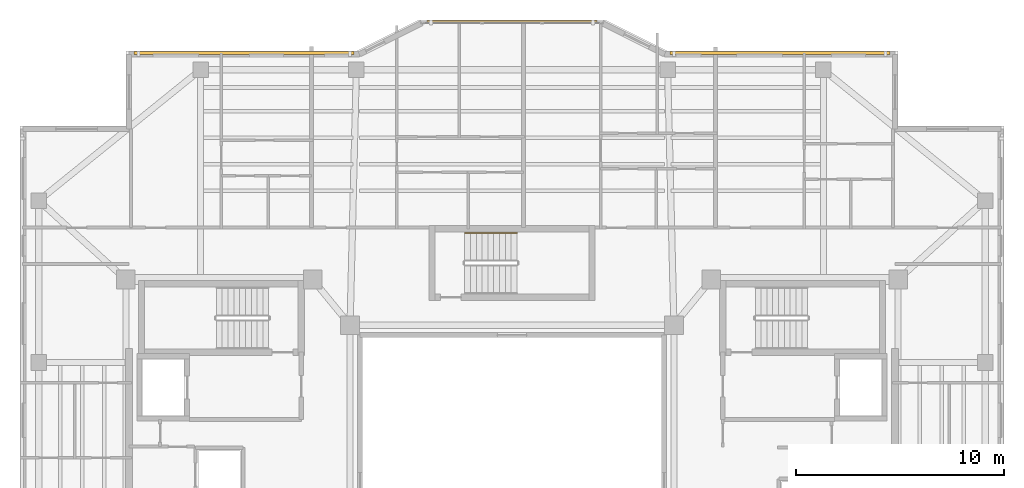
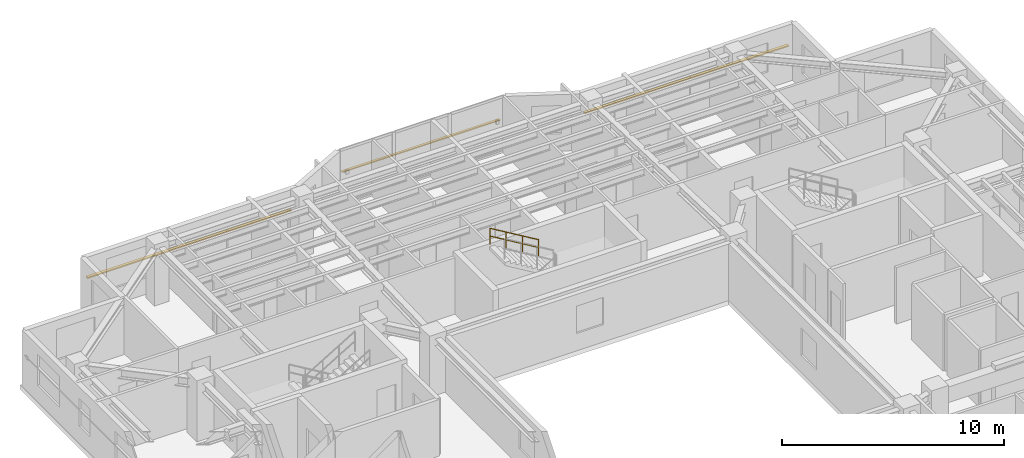
# One storey, part 12 of 12: 3 shading devices, 1 railing.
"""IFC4 building model written with IfcOpenShell, lengths in metres."""

from ifc_helpers import new_model, si_unit, direction, frame, origin, origin_2d, place, context, subcontext, project, spatial, rectangle, circle, extrude, material, material_profile, profile_set, type_object, element, save


model = new_model("IFC4")

# Units and contexts
model_context = context("Model", 3, precision=1e-05, world=origin(), true_north=direction((0.0, 1.0)))
body_context = subcontext(model_context, "Body", "Model", "MODEL_VIEW")
ifc_project = project(units=[si_unit("LENGTHUNIT", "METRE"), si_unit("AREAUNIT", "SQUARE_METRE"), si_unit("VOLUMEUNIT", "CUBIC_METRE"), si_unit("PLANEANGLEUNIT", "RADIAN"), si_unit("MASSUNIT", "GRAM", prefix="KILO")], contexts=[model_context])

# Site, building, storey
site_placement = place(None, origin())
site = spatial("IfcSite", under=ifc_project, at=site_placement, CompositionType="ELEMENT")
building_placement = place(site_placement, origin())
building = spatial("IfcBuilding", under=site, at=building_placement, Name="Tarnavaz Court Tower", CompositionType="ELEMENT")
storey_placement = place(building_placement, frame((0.0, 0.0, 220.39990234375)))
storey = spatial("IfcBuildingStorey", under=building, at=storey_placement, Name="L60", CompositionType="ELEMENT", Elevation=220.39990234375)

# Railing
ifc_material_1 = material(Name="Brushed Stainless Steel", Category="steel")
railing_type = type_object("IfcRailingType", Name="RL-HANDRAIL-900", PredefinedType="HANDRAIL", material=ifc_material_1)
railing_placement = place(storey_placement, frame((0.239990234375, 12.239990234375, 1.842529296875)))
element("IfcRailing", 1, at=railing_placement, inside=storey, type_object=railing_type, Name="L60 ST-N1 stair handrail 2", PredefinedType="HANDRAIL", context=body_context, shape_type="SweptSolid", body=[
    extrude(circle(Radius=0.02392578125, at=origin_2d()), frame((0.0, 0.0, 0.8759765625), z_axis=(-0.858159760407, 0.0, 0.513382728203), x_axis=(0.0, -1.0, 0.0)), (0.0, 0.0, 1.0), 2.9365234375),
    extrude(circle(Radius=0.02392578125, at=origin_2d()), frame((0.0, 0.0, 0.449951171875), z_axis=(-0.858159760407, 0.0, 0.513382728203), x_axis=(0.0, -1.0, 0.0)), (0.0, 0.0, 1.0), 2.9365234375),
    extrude(circle(Radius=0.02099609375, at=origin_2d()), origin(), (0.0, 0.0, 1.0), 0.851806640625),
    extrude(circle(Radius=0.02099609375, at=origin_2d()), frame((-0.840087890625, 0.0, 0.50244140625)), (0.0, 0.0, 1.0), 0.851806640625),
    extrude(circle(Radius=0.02099609375, at=origin_2d()), frame((-1.679931640625, 0.0, 1.005126953125)), (0.0, 0.0, 1.0), 0.851806640625),
    extrude(circle(Radius=0.02099609375, at=origin_2d()), frame((-2.52001953125, 0.0, 1.507568359375)), (0.0, 0.0, 1.0), 0.851806640625),
])

# Shading devices
ifc_material_2 = material(Name="Kiln-Fired Khorasan Terracotta Ceramic", Category="masonry")
ifc_material_profile_1 = material_profile(ifc_material_2, rectangle(XDim=0.1201171875, YDim=0.06005859375, at=origin_2d()), Name="TC BAGUETTE 120X60")
ifc_profile_set_1 = profile_set([ifc_material_profile_1], Name="Kiln-Fired Khorasan Terracotta Ceramic")
shading_device_type_1 = type_object("IfcShadingDeviceType", Name="SD-BAG-120", PredefinedType="USERDEFINED", material=ifc_profile_set_1)
shading_device_placement = place(storey_placement, frame((-4.10009765625, 22.409912109375, 1.800048828125), z_axis=(1.0, 0.0, 0.0), x_axis=(0.0, 1.0, 0.0)))
element("IfcShadingDevice", 2, at=shading_device_placement, inside=storey, type_object=shading_device_type_1, Name="L60 Terracotta Baguette Screen PBG7", ObjectType="BAGUETTE", PredefinedType="USERDEFINED", context=body_context, shape_type="SweptSolid", body=[
    extrude(rectangle(XDim=0.1201171875, YDim=0.06005859375, at=origin_2d()), origin(), (0.0, 0.0, 1.0), 8.2001953125),
])
ifc_material_profile_2 = material_profile(ifc_material_2, rectangle(XDim=0.14990234375, YDim=0.06494140625, at=origin_2d()), Name="TC BAGUETTE 150X65")
ifc_profile_set_2 = profile_set([ifc_material_profile_2], Name="Kiln-Fired Khorasan Terracotta Ceramic")
shading_device_type_2 = type_object("IfcShadingDeviceType", Name="SD-BAG-150", PredefinedType="USERDEFINED", material=ifc_profile_set_2)
for number, where, z_axis, x_axis, name in (
    (3, (-18.199951171875, 20.909912109375, 1.85009765625), (1.0, 0.0, 0.0), (0.0, 1.0, 0.0), "L60 Terracotta Baguette Screen FBG05"),
    (4, (7.60009765625, 20.909912109375, 1.85009765625), (1.0, 0.0, 0.0), (0.0, 1.0, 0.0), "L60 Terracotta Baguette Screen FBG09"),
):
    element("IfcShadingDevice", number, at=place(storey_placement, frame(where, z_axis=z_axis, x_axis=x_axis)), inside=storey, type_object=shading_device_type_2, Name=name, ObjectType="BAGUETTE", PredefinedType="USERDEFINED", context=body_context, shape_type="SweptSolid", body=[
        extrude(rectangle(XDim=0.14990234375, YDim=0.06494140625, at=origin_2d()), origin(), (0.0, 0.0, 1.0), 10.599853515625),
    ])

save(model, "model.ifc")
